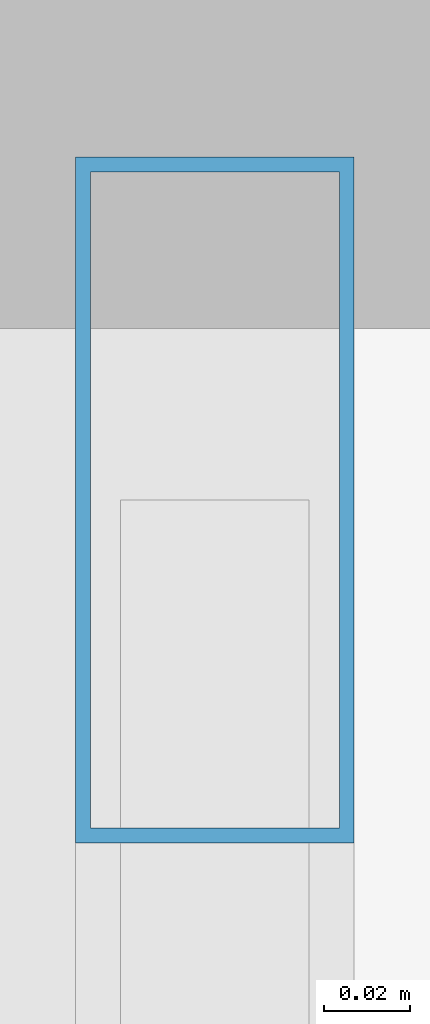
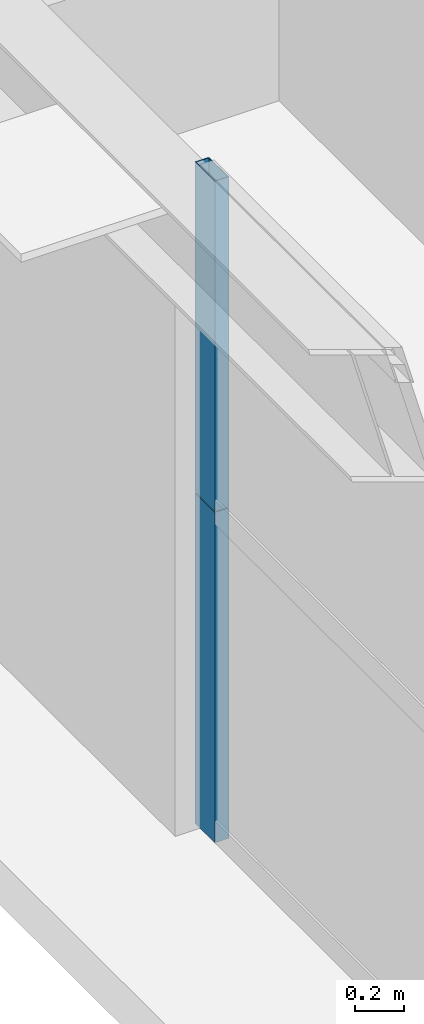
# One storey, part 22 of 37: 2 members, 1 element without a shape of its own.
"""IFC4 building model written with IfcOpenShell, lengths in metres."""

import ifcopenshell
import ifcopenshell.guid

model = None  # the IFC model being written
_history = None  # IfcOwnerHistory: only IFC2X3 demands one
_inside = {}  # id of a spatial element -> (the spatial element, [elements in it])
_under = {}  # id of a project, library or spatial element -> (it, [spatial elements below it])
_declared = {}  # id of a project -> (the project, [libraries it declares])
_typed = {}  # id of a type object -> (the type object, [elements of that type])
_made_of = {}  # id of a material, layer set ... -> (it, [elements and type objects made of it])


def new_model(schema):
    """Start an empty IFC model of exactly this schema.

    Asked for "IFC4X3", IfcOpenShell would pick the latest addendum, in which some entities
    have other attributes; the version numbers below select the first issue.
    IFC2X3 requires an IfcOwnerHistory on every rooted entity: one is made here for all.
    """
    global model, _history
    if schema == "IFC4X3":
        model = ifcopenshell.file(schema_version=(4, 3, 0, 0))
    else:
        model = ifcopenshell.file(schema=schema)
    _inside.clear()
    _under.clear()
    _declared.clear()
    _typed.clear()
    _made_of.clear()
    _history = None
    if model.schema == "IFC2X3":
        org = make("IfcOrganization", Name="unknown")
        user = make(
            "IfcPersonAndOrganization",
            ThePerson=make("IfcPerson", FamilyName="unknown"),
            TheOrganization=org,
        )
        app = make(
            "IfcApplication",
            ApplicationDeveloper=org,
            Version="unknown",
            ApplicationFullName="unknown",
            ApplicationIdentifier="unknown",
        )
        _history = make(
            "IfcOwnerHistory",
            OwningUser=user,
            OwningApplication=app,
            ChangeAction="ADDED",
            CreationDate=0,
        )
    return model


def make(cls, **values):
    """One entity of the class cls with the attributes given. An attribute that is None is left unset."""
    return model.create_entity(
        cls, **{name: value for name, value in values.items() if value is not None}
    )


def rooted(cls, **values):
    """An entity with a GlobalId (a new one), such as an element, a storey or a relation."""
    return make(cls, GlobalId=ifcopenshell.guid.new(), OwnerHistory=_history, **values)


def si_unit(unit_type, name, prefix=None):
    """IfcSIUnit, for example si_unit("LENGTHUNIT", "METRE", prefix="MILLI")."""
    return make("IfcSIUnit", UnitType=unit_type, Prefix=prefix, Name=name)


def assignment(units):
    """IfcUnitAssignment: the units of a project."""
    return None if units is None else make("IfcUnitAssignment", Units=units)


def point(xyz):
    """IfcCartesianPoint."""
    return None if xyz is None else make("IfcCartesianPoint", Coordinates=xyz)


def direction(xyz):
    """IfcDirection."""
    return None if xyz is None else make("IfcDirection", DirectionRatios=xyz)


def frame(location, z_axis=None, x_axis=None):
    """IfcAxis2Placement3D, a coordinate frame: its origin and axes. An axis left out is left unset."""
    return make(
        "IfcAxis2Placement3D",
        Location=point(location),
        Axis=direction(z_axis),
        RefDirection=direction(x_axis),
    )


def frame_2d(location, x_axis=None):
    """IfcAxis2Placement2D, a coordinate frame in the plane: its origin and x axis."""
    return make(
        "IfcAxis2Placement2D", Location=point(location), RefDirection=direction(x_axis)
    )


def origin():
    """The frame at (0, 0, 0) with its axes left unset."""
    return frame((0.0, 0.0, 0.0))


def origin_2d():
    """The frame at (0, 0) in the plane with its x axis left unset."""
    return frame_2d((0.0, 0.0))


def place(relative_to, where):
    """IfcLocalPlacement: puts the frame where relative to a parent placement (None: the world)."""
    return make(
        "IfcLocalPlacement", PlacementRelTo=relative_to, RelativePlacement=where
    )


def context(
    kind, dimensions, precision=None, world=None, true_north=None, identifier=None
):
    """IfcGeometricRepresentationContext, for example the 3D "Model" context."""
    return make(
        "IfcGeometricRepresentationContext",
        ContextIdentifier=identifier,
        ContextType=kind,
        CoordinateSpaceDimension=dimensions,
        Precision=precision,
        WorldCoordinateSystem=world,
        TrueNorth=true_north,
    )


def subcontext(parent, identifier, kind, view, scale=None):
    """IfcGeometricRepresentationSubContext, for example "Body" below "Model"."""
    return make(
        "IfcGeometricRepresentationSubContext",
        ContextIdentifier=identifier,
        ContextType=kind,
        ParentContext=parent,
        TargetScale=scale,
        TargetView=view,
    )


def project(units=None, contexts=None):
    """IfcProject with its units and contexts."""
    return rooted(
        "IfcProject",
        Name="project",
        RepresentationContexts=contexts,
        UnitsInContext=assignment(units),
    )


def spatial(cls, under=None, at=None, **own):
    """A site, building, storey or space (cls), placed at a placement, below another one or the project."""
    s = rooted(cls, ObjectPlacement=at, **own)
    if under is not None:
        _under.setdefault(under.id(), (under, []))[1].append(s)
    return s


def profile(cls, at=None, kind="AREA", **sizes):
    """A parametric profile (cls). Its sizes go by their IFC names, for example OverallWidth=200.0."""
    return make(cls, ProfileType=kind, Position=at, **sizes)


def hollow_rectangle(**sizes):
    """IfcRectangleHollowProfileDef."""
    return profile("IfcRectangleHollowProfileDef", **sizes)


def extrude(swept, where, along, depth):
    """IfcExtrudedAreaSolid: the profile swept, set in the frame where, extruded along a direction by depth."""
    return make(
        "IfcExtrudedAreaSolid",
        SweptArea=swept,
        Position=where,
        ExtrudedDirection=direction(along),
        Depth=depth,
    )


def shape(context_of_items, identifier, shape_type, items):
    """IfcShapeRepresentation: the items that make up one representation, for example the "Body"."""
    return make(
        "IfcShapeRepresentation",
        ContextOfItems=context_of_items,
        RepresentationIdentifier=identifier,
        RepresentationType=shape_type,
        Items=items,
    )


def source(mapping_origin, context_of_items, identifier, shape_type, items):
    """IfcRepresentationMap: a shape defined once, which mapped items show again and again."""
    return make(
        "IfcRepresentationMap",
        MappingOrigin=mapping_origin,
        MappedRepresentation=shape(context_of_items, identifier, shape_type, items),
    )


def transform(
    local_origin,
    x_axis=None,
    y_axis=None,
    z_axis=None,
    scale=None,
    scale2=None,
    scale3=None,
    uniform=True,
):
    """IfcCartesianTransformationOperator3D, or its non-uniform kind. x_axis, y_axis, z_axis: its Axis1, 2, 3."""
    if uniform:
        return make(
            "IfcCartesianTransformationOperator3D",
            Axis1=direction(x_axis),
            Axis2=direction(y_axis),
            LocalOrigin=point(local_origin),
            Scale=scale,
            Axis3=direction(z_axis),
        )
    return make(
        "IfcCartesianTransformationOperator3DnonUniform",
        Axis1=direction(x_axis),
        Axis2=direction(y_axis),
        LocalOrigin=point(local_origin),
        Scale=scale,
        Axis3=direction(z_axis),
        Scale2=scale2,
        Scale3=scale3,
    )


def mapped(mapping_source, mapping_target):
    """IfcMappedItem: shows the shape of a source again, moved by a transform."""
    return make(
        "IfcMappedItem", MappingSource=mapping_source, MappingTarget=mapping_target
    )


def material(Name=None, Category=None):
    """IfcMaterial."""
    return make("IfcMaterial", Name=Name, Category=Category)


def layer(
    of_material, thickness, ventilated=None, Name=None, Category=None, Priority=None
):
    """IfcMaterialLayer: one layer of a wall or slab, of a material (None: an air gap)."""
    return make(
        "IfcMaterialLayer",
        Material=of_material,
        LayerThickness=thickness,
        IsVentilated=ventilated,
        Name=Name,
        Category=Category,
        Priority=Priority,
    )


def layer_set(layers, Name=None):
    """IfcMaterialLayerSet."""
    return make("IfcMaterialLayerSet", MaterialLayers=layers, LayerSetName=Name)


def material_profile(
    of_material, cross_section, Name=None, Category=None, Priority=None
):
    """IfcMaterialProfile: a cross section and its material."""
    return make(
        "IfcMaterialProfile",
        Name=Name,
        Material=of_material,
        Profile=cross_section,
        Priority=Priority,
        Category=Category,
    )


def profile_set(profiles, Name=None, composite=None):
    """IfcMaterialProfileSet."""
    return make(
        "IfcMaterialProfileSet",
        Name=Name,
        MaterialProfiles=profiles,
        CompositeProfile=composite,
    )


def made_of(thing, what):
    """Note that an element or type object is made of a material, layer set ...; save() writes the relation."""
    if what is not None:
        _made_of.setdefault(what.id(), (what, []))[1].append(thing)
    return thing


def type_object(cls, material=None, **own):
    """A type object (cls), such as IfcWallType, which elements share."""
    return made_of(rooted(cls, **own), material)


def element(
    cls,
    number,
    at=None,
    inside=None,
    cuts=None,
    type_object=None,
    material=None,
    context=None,
    identifier="Body",
    shape_type=None,
    held_by="IfcProductDefinitionShape",
    body=None,
    shapes=None,
    **own,
):
    """One element of the class cls, such as IfcWall. Its Tag is "e" and its number.

    at: its placement. inside: the storey or other place that contains it. cuts: it is an
    opening in that element (IfcRelVoidsElement). A single representation is given by context,
    identifier, shape_type and body (its items); several are given by shapes. held_by: the class
    of the entity that holds the representations. save() writes the other relations.
    """
    e = rooted(cls, Tag="e%d" % number, ObjectPlacement=at, **own)
    if body is not None:
        shapes = [shape(context, identifier, shape_type, body)]
    if shapes is not None:
        e.Representation = make(held_by, Representations=shapes)
    if inside is not None:
        _inside.setdefault(inside.id(), (inside, []))[1].append(e)
    if cuts is not None:
        rooted(
            "IfcRelVoidsElement", RelatingBuildingElement=cuts, RelatedOpeningElement=e
        )
    if type_object is not None:
        _typed.setdefault(type_object.id(), (type_object, []))[1].append(e)
    return made_of(e, material)


def aggregate(whole, parts):
    """IfcRelAggregates: a whole, such as a stair, and the parts it consists of."""
    return rooted("IfcRelAggregates", RelatingObject=whole, RelatedObjects=parts)


def save(model, path):
    """Write the relations noted so far, then the file.

    IfcRelAggregates (storeys below a building ...), IfcRelContainedInSpatialStructure (elements
    in a storey), IfcRelDefinesByType, IfcRelAssociatesMaterial and IfcRelDeclares: one each for
    every whole, place, type object, material and project.
    """
    for whole, parts in _under.values():
        aggregate(whole, parts)
    for where, things in _inside.values():
        rooted(
            "IfcRelContainedInSpatialStructure",
            RelatedElements=things,
            RelatingStructure=where,
        )
    for kind, things in _typed.values():
        rooted("IfcRelDefinesByType", RelatedObjects=things, RelatingType=kind)
    for what, things in _made_of.values():
        rooted("IfcRelAssociatesMaterial", RelatedObjects=things, RelatingMaterial=what)
    for by, libraries in _declared.values():
        rooted("IfcRelDeclares", RelatingContext=by, RelatedDefinitions=libraries)
    model.write(path)


model = new_model("IFC4")

# Units and contexts
model_context = context("Model", 3, precision=1e-05, world=origin(), true_north=direction((0.0, 1.0)))
body_context = subcontext(model_context, "Body", "Model", "MODEL_VIEW")
ifc_project = project(units=[si_unit("LENGTHUNIT", "METRE"), si_unit("AREAUNIT", "SQUARE_METRE"), si_unit("VOLUMEUNIT", "CUBIC_METRE"), si_unit("PLANEANGLEUNIT", "RADIAN"), si_unit("MASSUNIT", "GRAM", prefix="KILO"), si_unit("THERMODYNAMICTEMPERATUREUNIT", "KELVIN"), si_unit("POWERUNIT", "WATT")], contexts=[model_context])

# Site, building, storey
site_placement = place(None, origin())
site = spatial("IfcSite", under=ifc_project, at=site_placement, CompositionType="ELEMENT")
building_placement = place(site_placement, origin())
building = spatial("IfcBuilding", under=site, at=building_placement, Name="Yuzanri Waterfront Tower", CompositionType="ELEMENT")
storey_placement = place(building_placement, frame((0.0, 0.0, 245.10009765625)))
storey = spatial("IfcBuildingStorey", under=building, at=storey_placement, Name="L65", CompositionType="ELEMENT", Elevation=245.10009765625)

# Curtain wall, members
ifc_material_1 = material(Name="Anodized Architectural Bronze", Category="metal")
ifc_layer = layer(ifc_material_1, 0.159912109375)
ifc_layer_set = layer_set([ifc_layer], Name="Anodized Architectural Bronze")
curtain_wall_type = type_object("IfcCurtainWallType", Name="Anodized Bronze Mid-Rise Residential Acoustic Unitized Curtain Wall 7200", PredefinedType="NOTDEFINED", material=ifc_layer_set)
curtain_wall_placement = place(storey_placement, origin())
curtain_wall = element("IfcCurtainWall", 1, at=curtain_wall_placement, inside=storey, type_object=curtain_wall_type, Name="L65 Curtain Wall CW-L65-WR", PredefinedType="NOTDEFINED")
ifc_material_2 = material(Name="Anodized Architectural Bronze", Category="metal")
ifc_material_profile = material_profile(ifc_material_2, hollow_rectangle(XDim=0.06494140625, YDim=0.159912109375, WallThickness=0.00341796875, at=origin_2d()), Name="CWM 65x160")
ifc_profile_set = profile_set([ifc_material_profile], Name="Anodized Architectural Bronze")
member_type = type_object("IfcMemberType", Name="Anodized Bronze Upper-Zone Curtain-Wall Mullion 65x160", PredefinedType="MULLION", material=ifc_profile_set)
shared_shape = source(origin(), body_context, "Body", "SweptSolid", [
    extrude(hollow_rectangle(XDim=0.06494140625, YDim=0.159912109375, WallThickness=0.00341796875, at=origin_2d()), origin(), (0.0, 0.0, 1.0), 1.637939453125),
])
member_1_placement = place(storey_placement, frame((16.550048828125, 39.010009765625, 0.0), z_axis=(0.0, 0.0, 1.0), x_axis=(1.0, 0.0, 0.0)))
member_1 = element("IfcMember", 2, at=member_1_placement, type_object=member_type, Name="CW-L65-WR Lower Mullion 02", PredefinedType="MULLION", context=body_context, shape_type="MappedRepresentation", body=[
    mapped(shared_shape, transform((0.0, 0.0, 0.0), scale=1.0)),
])
member_2_placement = place(storey_placement, frame((16.550048828125, 39.010009765625, 1.641845703125), z_axis=(0.0, 0.0, 1.0), x_axis=(1.0, 0.0, 0.0)))
member_2 = element("IfcMember", 3, at=member_2_placement, type_object=member_type, Name="CW-L65-WR Upper Mullion 02", PredefinedType="MULLION", context=body_context, shape_type="MappedRepresentation", body=[
    mapped(shared_shape, transform((0.0, 0.0, 0.0), scale=1.0)),
])
aggregate(curtain_wall, [member_1, member_2])

save(model, "model.ifc")
